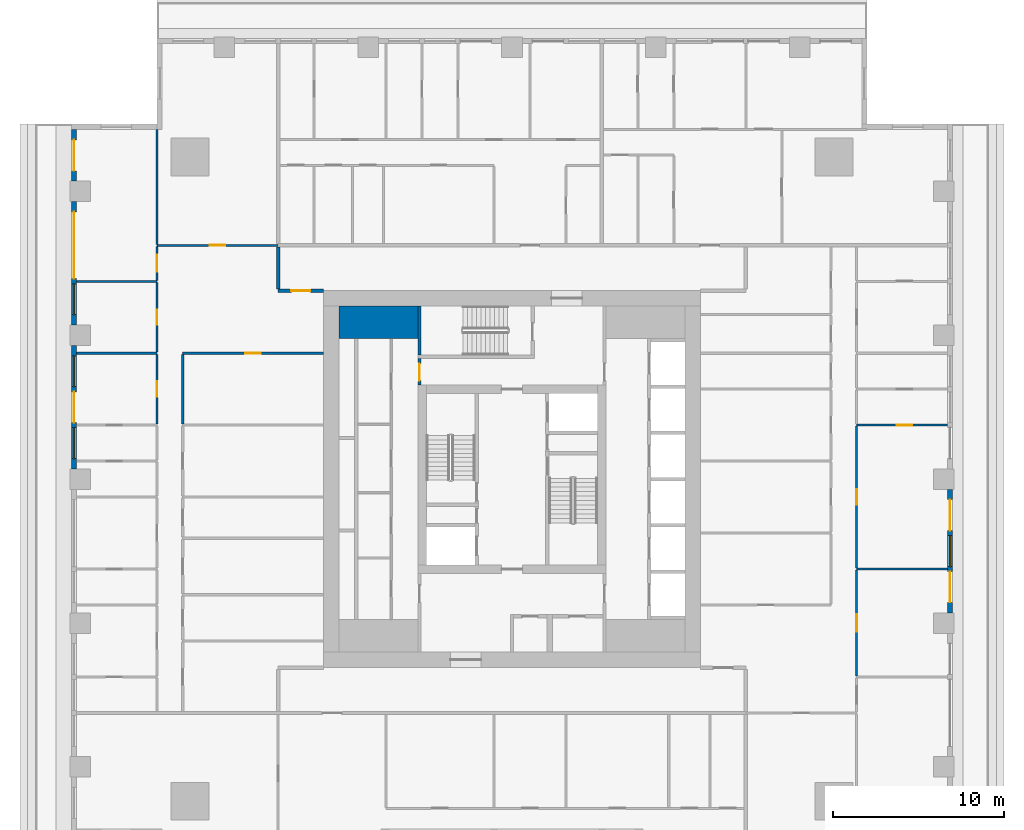
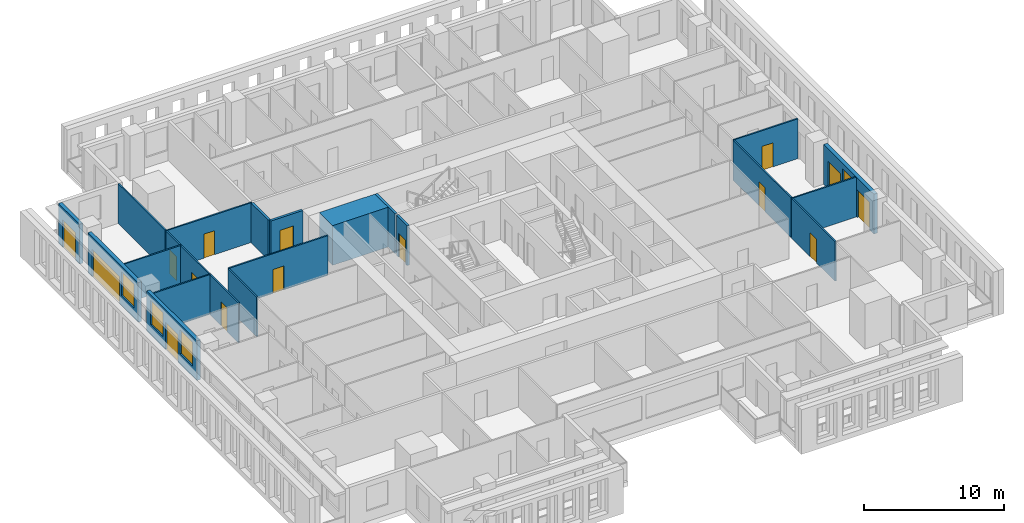
# One storey, part 6 of 15: 22 walls, 15 doors, 4 windows, 19 openings.
"""IFC4 building model written with IfcOpenShell, lengths in metres."""

from ifc_helpers import new_model, si_unit, direction, frame, frame_2d, origin, place, context, subcontext, project, spatial, rectangle, extrude, material, layer, layer_set, type_object, element, fill, save


model = new_model("IFC4")

# Units and contexts
model_context = context("Model", 3, precision=1e-05, world=origin(), true_north=direction((0.0, 1.0)))
body_context = subcontext(model_context, "Body", "Model", "MODEL_VIEW")
ifc_project = project(units=[si_unit("LENGTHUNIT", "METRE"), si_unit("AREAUNIT", "SQUARE_METRE"), si_unit("VOLUMEUNIT", "CUBIC_METRE"), si_unit("PLANEANGLEUNIT", "RADIAN"), si_unit("MASSUNIT", "GRAM", prefix="KILO")], contexts=[model_context])

# Site, building, storey
site_placement = place(None, origin())
site = spatial("IfcSite", under=ifc_project, at=site_placement, CompositionType="ELEMENT")
building_placement = place(site_placement, origin())
building = spatial("IfcBuilding", under=site, at=building_placement, Name="Khepri Terraces", CompositionType="ELEMENT")
storey_placement = place(building_placement, frame((0.0, 0.0, 256.199951171875)))
storey = spatial("IfcBuildingStorey", under=building, at=storey_placement, Name="L61", CompositionType="ELEMENT", Elevation=256.199951171875)

# Walls
ifc_material_1 = material(Name="Concrete C40/50", Category="concrete")
ifc_layer_1 = layer(ifc_material_1, 1.89990234375, Name="Concrete C40/50", Category="concrete")
ifc_layer_set_1 = layer_set([ifc_layer_1], Name="Concrete C40/50")
wall_type_1 = type_object("IfcWallType", Name="Core wall 1900 C40/50", PredefinedType="SHEAR", material=ifc_layer_set_1)
wall_1_placement = place(storey_placement, frame((-10.10009765625, 9.14990234375, 0.0), z_axis=(0.0, 0.0, 1.0), x_axis=(1.0, 0.0, 0.0)))
element("IfcWall", 1, at=wall_1_placement, inside=storey, type_object=wall_type_1, Name="Core wall PR03 L61", PredefinedType="SHEAR", context=body_context, shape_type="SweptSolid", body=[
    extrude(rectangle(XDim=4.60009765625, YDim=1.89990234375, at=frame_2d((2.300048828125, 0.0))), origin(), (0.0, 0.0, 1.0), 3.47998046875),
])
ifc_layer_2 = layer(ifc_material_1, 0.199951171875, Name="Concrete C40/50", Category="concrete")
ifc_layer_set_2 = layer_set([ifc_layer_2], Name="Concrete C40/50")
wall_type_2 = type_object("IfcWallType", Name="Core wall 200 C40/50", PredefinedType="SHEAR", material=ifc_layer_set_2)
wall_2_placement = place(storey_placement, frame((-5.39990234375, 7.25, 0.0), z_axis=(0.0, 0.0, 1.0), x_axis=(0.0, 1.0, 0.0)))
element("IfcWall", 2, at=wall_2_placement, inside=storey, type_object=wall_type_2, Name="Core wall ST06 L61", PredefinedType="SHEAR", context=body_context, shape_type="SweptSolid", body=[
    extrude(rectangle(XDim=2.85009765625, YDim=0.199951171875, at=frame_2d((1.425048828125, 0.0))), origin(), (0.0, 0.0, 1.0), 3.47998046875),
])

# Wall, opening, door
ifc_material_2 = material(Name="Fire-rated gypsum board partition")
ifc_layer_3 = layer(ifc_material_2, 0.199951171875, Name="Fire-rated gypsum board partition")
ifc_layer_set_3 = layer_set([ifc_layer_3], Name="Fire-rated gypsum board partition")
wall_type_3 = type_object("IfcWallType", Name="WL-CORE-PART-200", PredefinedType="PARTITIONING", material=ifc_layer_set_3)
wall_3_placement = place(storey_placement, frame((-5.39990234375, 5.5, 0.0), z_axis=(0.0, 0.0, 1.0), x_axis=(0.0, 1.0, 0.0)))
wall_3 = element("IfcWall", 3, at=wall_3_placement, inside=storey, type_object=wall_type_3, Name="Core partition PT11 L61", PredefinedType="PARTITIONING", context=body_context, shape_type="SweptSolid", body=[
    extrude(rectangle(XDim=1.550048828125, YDim=0.199951171875, at=frame_2d((0.77490234375, 0.0))), origin(), (0.0, 0.0, 1.0), 3.47998046875),
])
opening_1_placement = place(wall_3_placement, frame((0.25, 0.0, 0.0)))
opening_1 = element("IfcOpeningElement", 4, at=opening_1_placement, cuts=wall_3, Name="Opening L61-C16", PredefinedType="OPENING", context=body_context, shape_type="SweptSolid", body=[
    extrude(rectangle(XDim=1.0, YDim=2.10009765625, at=frame_2d((0.5, 1.050048828125))), frame((0.0, 0.10986328125, 0.0), z_axis=(0.0, -1.0, 0.0), x_axis=(1.0, 0.0, 0.0)), (0.0, 0.0, 1.0), 0.219970703125),
])
ifc_material_3 = material(Name="Painted steel", Category="steel")
door_type_1 = type_object("IfcDoorType", Name="DR-CORE-LOBBY-1000", OperationType="NOTDEFINED", PredefinedType="DOOR", material=ifc_material_3)
door_1_placement = place(opening_1_placement, frame((1.0, 0.0, 0.0), z_axis=(0.0, 0.0, 1.0), x_axis=(-1.0, 0.0, 0.0)))
door_1 = element("IfcDoor", 5, at=door_1_placement, inside=storey, type_object=door_type_1, Name="Lobby door L61-C16", OperationType="SINGLE_SWING_RIGHT", OverallHeight=2.10009765625, OverallWidth=1.0, PredefinedType="DOOR", context=body_context, shape_type="SweptSolid", body=[
    extrude(rectangle(XDim=1.0, YDim=2.10009765625, at=frame_2d((0.5, 1.050048828125))), frame((0.0, 0.02490234375, 0.0), z_axis=(0.0, -1.0, 0.0), x_axis=(1.0, 0.0, 0.0)), (0.0, 0.0, 1.0), 0.050048828125),
])
fill(opening_1, door_1)

ifc_material_4 = material(Name="Fire-rated gypsum plasterboard partition, mineral wool")
ifc_layer_4 = layer(ifc_material_4, 0.199951171875, Name="Fire-rated gypsum plasterboard partition, mineral wool")
ifc_layer_set_4 = layer_set([ifc_layer_4], Name="Fire-rated gypsum plasterboard partition, mineral wool")
wall_type_4 = type_object("IfcWallType", Name="WL-CORR-200", PredefinedType="PARTITIONING", material=ifc_layer_set_4)
wall_4_placement = place(storey_placement, frame((-13.64990234375, 11.0, 0.0), z_axis=(0.0, 0.0, 1.0), x_axis=(1.0, 0.0, 0.0)))
wall_4 = element("IfcWall", 6, at=wall_4_placement, inside=storey, type_object=wall_type_4, Name="Partition P-071 L61", PredefinedType="PARTITIONING", context=body_context, shape_type="SweptSolid", body=[
    extrude(rectangle(XDim=2.64990234375, YDim=0.199951171875, at=frame_2d((1.324951171875, 0.0))), origin(), (0.0, 0.0, 1.0), 3.47998046875),
])
opening_2_placement = place(wall_4_placement, frame((0.77490234375, 0.0, 0.0)))
opening_2 = element("IfcOpeningElement", 7, at=opening_2_placement, cuts=wall_4, Name="Opening D1", PredefinedType="OPENING", context=body_context, shape_type="SweptSolid", body=[
    extrude(rectangle(XDim=1.10009765625, YDim=2.39990234375, at=frame_2d((0.550048828125, 1.199951171875))), frame((0.0, 0.10986328125, 0.0), z_axis=(0.0, -1.0, 0.0), x_axis=(1.0, 0.0, 0.0)), (0.0, 0.0, 1.0), 0.219970703125),
])
ifc_material_5 = material(Name="Solid-core timber door leaf, flat entrance door", Category="wood")
door_type_2 = type_object("IfcDoorType", Name="DR-ENT-1100", OperationType="NOTDEFINED", PredefinedType="DOOR", material=ifc_material_5)
door_2_placement = place(opening_2_placement, frame((1.10009765625, 0.0, 0.0), z_axis=(0.0, 0.0, 1.0), x_axis=(-1.0, 0.0, 0.0)))
door_2 = element("IfcDoor", 8, at=door_2_placement, inside=storey, type_object=door_type_2, Name="Flat D1 entrance door", OperationType="SINGLE_SWING_LEFT", OverallHeight=2.39990234375, OverallWidth=1.10009765625, PredefinedType="DOOR", context=body_context, shape_type="SweptSolid", body=[
    extrude(rectangle(XDim=1.10009765625, YDim=2.39990234375, at=frame_2d((0.550048828125, 1.199951171875))), frame((0.0, 0.02490234375, 0.0), z_axis=(0.0, -1.0, 0.0), x_axis=(1.0, 0.0, 0.0)), (0.0, 0.0, 1.0), 0.050048828125),
])
fill(opening_2, door_2)

# Wall
wall_5_placement = place(storey_placement, frame((-13.64990234375, 11.10009765625, 0.0), z_axis=(0.0, 0.0, 1.0), x_axis=(0.0, 1.0, 0.0)))
element("IfcWall", 9, at=wall_5_placement, inside=storey, type_object=wall_type_4, Name="Partition P-073 L61", PredefinedType="PARTITIONING", context=body_context, shape_type="SweptSolid", body=[
    extrude(rectangle(XDim=2.449951171875, YDim=0.199951171875, at=frame_2d((1.22509765625, 0.0))), origin(), (0.0, 0.0, 1.0), 3.47998046875),
])

# Wall, openings, doors, window
ifc_material_6 = material(Name="Precast concrete C50/60 warm stone", Category="masonry")
ifc_layer_5 = layer(ifc_material_6, 0.300048828125, Name="Precast concrete C50/60 warm stone", Category="masonry")
ifc_layer_set_5 = layer_set([ifc_layer_5], Name="Precast concrete C50/60 warm stone")
wall_type_5 = type_object("IfcWallType", Name="WL-EXT-PRECAST-300", PredefinedType="STANDARD", material=ifc_layer_set_5)
wall_6_placement = place(storey_placement, frame((25.570068359375, -7.800048828125, 0.0), z_axis=(0.0, 0.0, 1.0), x_axis=(0.0, 1.0, 0.0)))
wall_6 = element("IfcWall", 10, at=wall_6_placement, inside=storey, type_object=wall_type_5, Name="External wall L61 E", PredefinedType="STANDARD", context=body_context, shape_type="SweptSolid", body=[
    extrude(rectangle(XDim=7.199951171875, YDim=0.300048828125, at=frame_2d((3.60009765625, 0.0))), origin(), (0.0, 0.0, 1.0), 3.47998046875),
])
opening_3_placement = place(wall_6_placement, frame((0.60009765625, 0.0, 0.0)))
opening_3 = element("IfcOpeningElement", 11, at=opening_3_placement, cuts=wall_6, Name="Opening ED-L61-04", PredefinedType="OPENING", context=body_context, shape_type="SweptSolid", body=[
    extrude(rectangle(XDim=1.800048828125, YDim=2.39990234375, at=frame_2d((0.89990234375, 1.199951171875))), frame((0.0, 0.16015625, 0.0), z_axis=(0.0, -1.0, 0.0), x_axis=(1.0, 0.0, 0.0)), (0.0, 0.0, 1.0), 0.320068359375),
])
opening_4_placement = place(wall_6_placement, frame((2.699951171875, 0.0, 0.89990234375)))
opening_4 = element("IfcOpeningElement", 12, at=opening_4_placement, cuts=wall_6, Name="Opening W1", PredefinedType="OPENING", context=body_context, shape_type="SweptSolid", body=[
    extrude(rectangle(XDim=1.800048828125, YDim=2.10009765625, at=frame_2d((0.89990234375, 1.050048828125))), frame((0.0, 0.16015625, 0.0), z_axis=(0.0, -1.0, 0.0), x_axis=(1.0, 0.0, 0.0)), (0.0, 0.0, 1.0), 0.320068359375),
])
opening_5_placement = place(wall_6_placement, frame((4.800048828125, 0.0, 0.0)))
opening_5 = element("IfcOpeningElement", 13, at=opening_5_placement, cuts=wall_6, Name="Opening ED-L61-05", PredefinedType="OPENING", context=body_context, shape_type="SweptSolid", body=[
    extrude(rectangle(XDim=1.800048828125, YDim=2.39990234375, at=frame_2d((0.89990234375, 1.199951171875))), frame((0.0, 0.16015625, 0.0), z_axis=(0.0, -1.0, 0.0), x_axis=(1.0, 0.0, 0.0)), (0.0, 0.0, 1.0), 0.320068359375),
])
ifc_material_7 = material(Name="Anodised aluminium bronze glazed door", Category="aluminium")
door_type_3 = type_object("IfcDoorType", Name="DR-BAL-SLIDE-1800x2400", OperationType="NOTDEFINED", PredefinedType="DOOR", material=ifc_material_7)
door_3_placement = place(opening_3_placement, origin())
door_3 = element("IfcDoor", 14, at=door_3_placement, inside=storey, type_object=door_type_3, Name="Balcony door L61 E", OperationType="SLIDING_TO_LEFT", OverallHeight=2.39990234375, OverallWidth=1.800048828125, PredefinedType="DOOR", context=body_context, shape_type="SweptSolid", body=[
    extrude(rectangle(XDim=1.800048828125, YDim=2.39990234375, at=frame_2d((0.89990234375, 1.199951171875))), frame((0.0, 0.02490234375, 0.0), z_axis=(0.0, -1.0, 0.0), x_axis=(1.0, 0.0, 0.0)), (0.0, 0.0, 1.0), 0.050048828125),
])
fill(opening_3, door_3)
door_4_placement = place(opening_5_placement, origin())
door_4 = element("IfcDoor", 15, at=door_4_placement, inside=storey, type_object=door_type_3, Name="Balcony door L61 E", OperationType="SLIDING_TO_RIGHT", OverallHeight=2.39990234375, OverallWidth=1.800048828125, PredefinedType="DOOR", context=body_context, shape_type="SweptSolid", body=[
    extrude(rectangle(XDim=1.800048828125, YDim=2.39990234375, at=frame_2d((0.89990234375, 1.199951171875))), frame((0.0, 0.02490234375, 0.0), z_axis=(0.0, -1.0, 0.0), x_axis=(1.0, 0.0, 0.0)), (0.0, 0.0, 1.0), 0.050048828125),
])
fill(opening_5, door_4)
ifc_material_8 = material(Name="Clear glass", Category="glass")
window_type = type_object("IfcWindowType", Name="WIN-RES-1800x2100", PartitioningType="SINGLE_PANEL", PredefinedType="WINDOW", material=ifc_material_8)
window_1_placement = place(opening_4_placement, origin())
window_1 = element("IfcWindow", 16, at=window_1_placement, inside=storey, type_object=window_type, Name="Window L61 E", OverallHeight=2.10009765625, OverallWidth=1.800048828125, PartitioningType="SINGLE_PANEL", PredefinedType="WINDOW", context=body_context, shape_type="SweptSolid", body=[
    extrude(rectangle(XDim=1.800048828125, YDim=2.10009765625, at=frame_2d((0.89990234375, 1.050048828125))), frame((0.0, 0.030029296875, 0.0), z_axis=(0.0, -1.0, 0.0), x_axis=(1.0, 0.0, 0.0)), (0.0, 0.0, 1.0), 0.06005859375),
])
fill(opening_4, window_1)

# Wall, opening, door
wall_7_placement = place(storey_placement, frame((-25.570068359375, 20.419921875, 0.0), z_axis=(0.0, 0.0, 1.0), x_axis=(0.0, -1.0, 0.0)))
wall_7 = element("IfcWall", 17, at=wall_7_placement, inside=storey, type_object=wall_type_5, Name="External wall L61 W", PredefinedType="STANDARD", context=body_context, shape_type="SweptSolid", body=[
    extrude(rectangle(XDim=3.02001953125, YDim=0.300048828125, at=frame_2d((1.510009765625, 0.0))), origin(), (0.0, 0.0, 1.0), 3.47998046875),
])
opening_6_placement = place(wall_7_placement, frame((0.6201171875, 0.0, 0.0)))
opening_6 = element("IfcOpeningElement", 18, at=opening_6_placement, cuts=wall_7, Name="Opening ED-L61-12", PredefinedType="OPENING", context=body_context, shape_type="SweptSolid", body=[
    extrude(rectangle(XDim=1.800048828125, YDim=2.39990234375, at=frame_2d((0.89990234375, 1.199951171875))), frame((0.0, 0.16015625, 0.0), z_axis=(0.0, -1.0, 0.0), x_axis=(1.0, 0.0, 0.0)), (0.0, 0.0, 1.0), 0.320068359375),
])
door_5_placement = place(opening_6_placement, origin())
door_5 = element("IfcDoor", 19, at=door_5_placement, inside=storey, type_object=door_type_3, Name="Balcony door L61 W", OperationType="SLIDING_TO_RIGHT", OverallHeight=2.39990234375, OverallWidth=1.800048828125, PredefinedType="DOOR", context=body_context, shape_type="SweptSolid", body=[
    extrude(rectangle(XDim=1.800048828125, YDim=2.39990234375, at=frame_2d((0.89990234375, 1.199951171875))), frame((0.0, 0.02490234375, 0.0), z_axis=(0.0, -1.0, 0.0), x_axis=(1.0, 0.0, 0.0)), (0.0, 0.0, 1.0), 0.050048828125),
])
fill(opening_6, door_5)

# Wall, openings, door, window
wall_8_placement = place(storey_placement, frame((-25.570068359375, 16.199951171875, 0.0), z_axis=(0.0, 0.0, 1.0), x_axis=(0.0, -1.0, 0.0)))
wall_8 = element("IfcWall", 20, at=wall_8_placement, inside=storey, type_object=wall_type_5, Name="External wall L61 W", PredefinedType="STANDARD", context=body_context, shape_type="SweptSolid", body=[
    extrude(rectangle(XDim=7.199951171875, YDim=0.300048828125, at=frame_2d((3.60009765625, 0.0))), origin(), (0.0, 0.0, 1.0), 3.47998046875),
])
opening_7_placement = place(wall_8_placement, frame((0.60009765625, 0.0, 0.0)))
opening_7 = element("IfcOpeningElement", 21, at=opening_7_placement, cuts=wall_8, Name="Opening ED-L61-13", PredefinedType="OPENING", context=body_context, shape_type="SweptSolid", body=[
    extrude(rectangle(XDim=3.89990234375, YDim=2.39990234375, at=frame_2d((1.949951171875, 1.199951171875))), frame((0.0, 0.16015625, 0.0), z_axis=(0.0, -1.0, 0.0), x_axis=(1.0, 0.0, 0.0)), (0.0, 0.0, 1.0), 0.320068359375),
])
opening_8_placement = place(wall_8_placement, frame((4.800048828125, 0.0, 0.89990234375)))
opening_8 = element("IfcOpeningElement", 22, at=opening_8_placement, cuts=wall_8, Name="Opening W1", PredefinedType="OPENING", context=body_context, shape_type="SweptSolid", body=[
    extrude(rectangle(XDim=1.800048828125, YDim=2.10009765625, at=frame_2d((0.89990234375, 1.050048828125))), frame((0.0, 0.16015625, 0.0), z_axis=(0.0, -1.0, 0.0), x_axis=(1.0, 0.0, 0.0)), (0.0, 0.0, 1.0), 0.320068359375),
])
door_type_4 = type_object("IfcDoorType", Name="DR-BAL-SLIDE-3900x2400", OperationType="NOTDEFINED", PredefinedType="DOOR", material=ifc_material_7)
door_6_placement = place(opening_7_placement, origin())
door_6 = element("IfcDoor", 23, at=door_6_placement, inside=storey, type_object=door_type_4, Name="Balcony door L61 W", OperationType="SLIDING_TO_LEFT", OverallHeight=2.39990234375, OverallWidth=3.89990234375, PredefinedType="DOOR", context=body_context, shape_type="SweptSolid", body=[
    extrude(rectangle(XDim=3.89990234375, YDim=2.39990234375, at=frame_2d((1.949951171875, 1.199951171875))), frame((0.0, 0.02490234375, 0.0), z_axis=(0.0, -1.0, 0.0), x_axis=(1.0, 0.0, 0.0)), (0.0, 0.0, 1.0), 0.050048828125),
])
fill(opening_7, door_6)
window_2_placement = place(opening_8_placement, origin())
window_2 = element("IfcWindow", 24, at=window_2_placement, inside=storey, type_object=window_type, Name="Window L61 W", OverallHeight=2.10009765625, OverallWidth=1.800048828125, PartitioningType="SINGLE_PANEL", PredefinedType="WINDOW", context=body_context, shape_type="SweptSolid", body=[
    extrude(rectangle(XDim=1.800048828125, YDim=2.10009765625, at=frame_2d((0.89990234375, 1.050048828125))), frame((0.0, 0.030029296875, 0.0), z_axis=(0.0, -1.0, 0.0), x_axis=(1.0, 0.0, 0.0)), (0.0, 0.0, 1.0), 0.06005859375),
])
fill(opening_8, window_2)

# Wall, openings, door, windows
wall_9_placement = place(storey_placement, frame((-25.570068359375, 7.800048828125, 0.0), z_axis=(0.0, 0.0, 1.0), x_axis=(0.0, -1.0, 0.0)))
wall_9 = element("IfcWall", 25, at=wall_9_placement, inside=storey, type_object=wall_type_5, Name="External wall L61 W", PredefinedType="STANDARD", context=body_context, shape_type="SweptSolid", body=[
    extrude(rectangle(XDim=7.199951171875, YDim=0.300048828125, at=frame_2d((3.60009765625, 0.0))), origin(), (0.0, 0.0, 1.0), 3.47998046875),
])
opening_9_placement = place(wall_9_placement, frame((0.60009765625, 0.0, 0.89990234375)))
opening_9 = element("IfcOpeningElement", 26, at=opening_9_placement, cuts=wall_9, Name="Opening W1", PredefinedType="OPENING", context=body_context, shape_type="SweptSolid", body=[
    extrude(rectangle(XDim=1.800048828125, YDim=2.10009765625, at=frame_2d((0.89990234375, 1.050048828125))), frame((0.0, 0.16015625, 0.0), z_axis=(0.0, -1.0, 0.0), x_axis=(1.0, 0.0, 0.0)), (0.0, 0.0, 1.0), 0.320068359375),
])
opening_10_placement = place(wall_9_placement, frame((2.699951171875, 0.0, 0.0)))
opening_10 = element("IfcOpeningElement", 27, at=opening_10_placement, cuts=wall_9, Name="Opening ED-L61-14", PredefinedType="OPENING", context=body_context, shape_type="SweptSolid", body=[
    extrude(rectangle(XDim=1.800048828125, YDim=2.39990234375, at=frame_2d((0.89990234375, 1.199951171875))), frame((0.0, 0.16015625, 0.0), z_axis=(0.0, -1.0, 0.0), x_axis=(1.0, 0.0, 0.0)), (0.0, 0.0, 1.0), 0.320068359375),
])
opening_11_placement = place(wall_9_placement, frame((4.800048828125, 0.0, 0.89990234375)))
opening_11 = element("IfcOpeningElement", 28, at=opening_11_placement, cuts=wall_9, Name="Opening W1", PredefinedType="OPENING", context=body_context, shape_type="SweptSolid", body=[
    extrude(rectangle(XDim=1.800048828125, YDim=2.10009765625, at=frame_2d((0.89990234375, 1.050048828125))), frame((0.0, 0.16015625, 0.0), z_axis=(0.0, -1.0, 0.0), x_axis=(1.0, 0.0, 0.0)), (0.0, 0.0, 1.0), 0.320068359375),
])
door_7_placement = place(opening_10_placement, origin())
door_7 = element("IfcDoor", 29, at=door_7_placement, inside=storey, type_object=door_type_3, Name="Balcony door L61 W", OperationType="SLIDING_TO_LEFT", OverallHeight=2.39990234375, OverallWidth=1.800048828125, PredefinedType="DOOR", context=body_context, shape_type="SweptSolid", body=[
    extrude(rectangle(XDim=1.800048828125, YDim=2.39990234375, at=frame_2d((0.89990234375, 1.199951171875))), frame((0.0, 0.02490234375, 0.0), z_axis=(0.0, -1.0, 0.0), x_axis=(1.0, 0.0, 0.0)), (0.0, 0.0, 1.0), 0.050048828125),
])
fill(opening_10, door_7)
window_3_placement = place(opening_9_placement, origin())
window_3 = element("IfcWindow", 30, at=window_3_placement, inside=storey, type_object=window_type, Name="Window L61 W", OverallHeight=2.10009765625, OverallWidth=1.800048828125, PartitioningType="SINGLE_PANEL", PredefinedType="WINDOW", context=body_context, shape_type="SweptSolid", body=[
    extrude(rectangle(XDim=1.800048828125, YDim=2.10009765625, at=frame_2d((0.89990234375, 1.050048828125))), frame((0.0, 0.030029296875, 0.0), z_axis=(0.0, -1.0, 0.0), x_axis=(1.0, 0.0, 0.0)), (0.0, 0.0, 1.0), 0.06005859375),
])
fill(opening_9, window_3)
window_4_placement = place(opening_11_placement, origin())
window_4 = element("IfcWindow", 31, at=window_4_placement, inside=storey, type_object=window_type, Name="Window L61 W", OverallHeight=2.10009765625, OverallWidth=1.800048828125, PartitioningType="SINGLE_PANEL", PredefinedType="WINDOW", context=body_context, shape_type="SweptSolid", body=[
    extrude(rectangle(XDim=1.800048828125, YDim=2.10009765625, at=frame_2d((0.89990234375, 1.050048828125))), frame((0.0, 0.030029296875, 0.0), z_axis=(0.0, -1.0, 0.0), x_axis=(1.0, 0.0, 0.0)), (0.0, 0.0, 1.0), 0.06005859375),
])
fill(opening_11, window_4)

# Wall, opening, door
ifc_material_9 = material(Name="Gypsum plasterboard partition")
ifc_layer_6 = layer(ifc_material_9, 0.1201171875, Name="Gypsum plasterboard partition")
ifc_layer_set_6 = layer_set([ifc_layer_6], Name="Gypsum plasterboard partition")
wall_type_6 = type_object("IfcWallType", Name="WL-PART-120", PredefinedType="PARTITIONING", material=ifc_layer_set_6)
wall_10_placement = place(storey_placement, frame((20.1201171875, -11.489990234375, 0.0), z_axis=(0.0, 0.0, 1.0), x_axis=(0.0, 1.0, 0.0)))
wall_10 = element("IfcWall", 32, at=wall_10_placement, inside=storey, type_object=wall_type_6, Name="Partition P-025 L61", PredefinedType="PARTITIONING", context=body_context, shape_type="SweptSolid", body=[
    extrude(rectangle(XDim=6.179931640625, YDim=0.1201171875, at=frame_2d((3.08984375, 0.0))), origin(), (0.0, 0.0, 1.0), 3.47998046875),
])
opening_12_placement = place(wall_10_placement, frame((2.590087890625, 0.0, 0.0)))
opening_12 = element("IfcOpeningElement", 33, at=opening_12_placement, cuts=wall_10, Name="Opening D2", PredefinedType="OPENING", context=body_context, shape_type="SweptSolid", body=[
    extrude(rectangle(XDim=1.0, YDim=2.10009765625, at=frame_2d((0.5, 1.050048828125))), frame((0.0, 0.070068359375, 0.0), z_axis=(0.0, -1.0, 0.0), x_axis=(1.0, 0.0, 0.0)), (0.0, 0.0, 1.0), 0.14013671875),
])
ifc_material_10 = material(Name="Timber door leaf, living room door", Category="wood")
door_type_5 = type_object("IfcDoorType", Name="DR-INT-1000", OperationType="NOTDEFINED", PredefinedType="DOOR", material=ifc_material_10)
door_8_placement = place(opening_12_placement, frame((1.0, 0.0, 0.0), z_axis=(0.0, 0.0, 1.0), x_axis=(-1.0, 0.0, 0.0)))
door_8 = element("IfcDoor", 34, at=door_8_placement, inside=storey, type_object=door_type_5, Name="Door Family Room", OperationType="SINGLE_SWING_RIGHT", OverallHeight=2.10009765625, OverallWidth=1.0, PredefinedType="DOOR", context=body_context, shape_type="SweptSolid", body=[
    extrude(rectangle(XDim=1.0, YDim=2.10009765625, at=frame_2d((0.5, 1.050048828125))), frame((0.0, 0.02490234375, 0.0), z_axis=(0.0, -1.0, 0.0), x_axis=(1.0, 0.0, 0.0)), (0.0, 0.0, 1.0), 0.050048828125),
])
fill(opening_12, door_8)

# Wall
wall_11_placement = place(storey_placement, frame((20.1201171875, -5.25, 0.0), z_axis=(0.0, 0.0, 1.0), x_axis=(1.0, 0.0, 0.0)))
element("IfcWall", 35, at=wall_11_placement, inside=storey, type_object=wall_type_6, Name="Partition P-037 L61", PredefinedType="PARTITIONING", context=body_context, shape_type="SweptSolid", body=[
    extrude(rectangle(XDim=5.2998046875, YDim=0.1201171875, at=frame_2d((2.64990234375, 0.0))), origin(), (0.0, 0.0, 1.0), 3.47998046875),
])

# Wall, opening, door
wall_12_placement = place(storey_placement, frame((20.1201171875, -5.18994140625, 0.0), z_axis=(0.0, 0.0, 1.0), x_axis=(0.0, 1.0, 0.0)))
wall_12 = element("IfcWall", 36, at=wall_12_placement, inside=storey, type_object=wall_type_6, Name="Partition P-039 L61", PredefinedType="PARTITIONING", context=body_context, shape_type="SweptSolid", body=[
    extrude(rectangle(XDim=8.280029296875, YDim=0.1201171875, at=frame_2d((4.14013671875, 0.0))), origin(), (0.0, 0.0, 1.0), 3.47998046875),
])
opening_13_placement = place(wall_12_placement, frame((3.68994140625, 0.0, 0.0)))
opening_13 = element("IfcOpeningElement", 37, at=opening_13_placement, cuts=wall_12, Name="Opening D3", PredefinedType="OPENING", context=body_context, shape_type="SweptSolid", body=[
    extrude(rectangle(XDim=0.89990234375, YDim=2.10009765625, at=frame_2d((0.449951171875, 1.050048828125))), frame((0.0, 0.070068359375, 0.0), z_axis=(0.0, -1.0, 0.0), x_axis=(1.0, 0.0, 0.0)), (0.0, 0.0, 1.0), 0.14013671875),
])
ifc_material_11 = material(Name="Timber door leaf", Category="wood")
door_type_6 = type_object("IfcDoorType", Name="DR-INT-900", OperationType="NOTDEFINED", PredefinedType="DOOR", material=ifc_material_11)
door_9_placement = place(opening_13_placement, frame((0.89990234375, 0.0, 0.0), z_axis=(0.0, 0.0, 1.0), x_axis=(-1.0, 0.0, 0.0)))
door_9 = element("IfcDoor", 38, at=door_9_placement, inside=storey, type_object=door_type_6, Name="Door Master Bedroom", OperationType="SINGLE_SWING_LEFT", OverallHeight=2.10009765625, OverallWidth=0.89990234375, PredefinedType="DOOR", context=body_context, shape_type="SweptSolid", body=[
    extrude(rectangle(XDim=0.89990234375, YDim=2.10009765625, at=frame_2d((0.449951171875, 1.050048828125))), frame((0.0, 0.02490234375, 0.0), z_axis=(0.0, -1.0, 0.0), x_axis=(1.0, 0.0, 0.0)), (0.0, 0.0, 1.0), 0.050048828125),
])
fill(opening_13, door_9)

wall_13_placement = place(storey_placement, frame((20.1201171875, 3.14990234375, 0.0), z_axis=(0.0, 0.0, 1.0), x_axis=(1.0, 0.0, 0.0)))
wall_13 = element("IfcWall", 39, at=wall_13_placement, inside=storey, type_object=wall_type_6, Name="Partition P-054 L61", PredefinedType="PARTITIONING", context=body_context, shape_type="SweptSolid", body=[
    extrude(rectangle(XDim=5.2998046875, YDim=0.1201171875, at=frame_2d((2.64990234375, 0.0))), origin(), (0.0, 0.0, 1.0), 3.47998046875),
])
opening_14_placement = place(wall_13_placement, frame((2.35009765625, 0.0, 0.0)))
opening_14 = element("IfcOpeningElement", 40, at=opening_14_placement, cuts=wall_13, Name="Opening D3", PredefinedType="OPENING", context=body_context, shape_type="SweptSolid", body=[
    extrude(rectangle(XDim=0.89990234375, YDim=2.10009765625, at=frame_2d((0.449951171875, 1.050048828125))), frame((0.0, 0.070068359375, 0.0), z_axis=(0.0, -1.0, 0.0), x_axis=(1.0, 0.0, 0.0)), (0.0, 0.0, 1.0), 0.14013671875),
])
door_10_placement = place(opening_14_placement, origin())
door_10 = element("IfcDoor", 41, at=door_10_placement, inside=storey, type_object=door_type_6, Name="Door Dressing Room", OperationType="SINGLE_SWING_RIGHT", OverallHeight=2.10009765625, OverallWidth=0.89990234375, PredefinedType="DOOR", context=body_context, shape_type="SweptSolid", body=[
    extrude(rectangle(XDim=0.89990234375, YDim=2.10009765625, at=frame_2d((0.449951171875, 1.050048828125))), frame((0.0, 0.02490234375, 0.0), z_axis=(0.0, -1.0, 0.0), x_axis=(1.0, 0.0, 0.0)), (0.0, 0.0, 1.0), 0.050048828125),
])
fill(opening_14, door_10)

wall_14_placement = place(storey_placement, frame((-20.719970703125, 3.2099609375, 0.0), z_axis=(0.0, 0.0, 1.0), x_axis=(0.0, 1.0, 0.0)))
wall_14 = element("IfcWall", 42, at=wall_14_placement, inside=storey, type_object=wall_type_6, Name="Partition P-055 L61", PredefinedType="PARTITIONING", context=body_context, shape_type="SweptSolid", body=[
    extrude(rectangle(XDim=4.080078125, YDim=0.1201171875, at=frame_2d((2.0400390625, 0.0))), origin(), (0.0, 0.0, 1.0), 3.47998046875),
])
opening_15_placement = place(wall_14_placement, frame((1.590087890625, 0.0, 0.0)))
opening_15 = element("IfcOpeningElement", 43, at=opening_15_placement, cuts=wall_14, Name="Opening D3", PredefinedType="OPENING", context=body_context, shape_type="SweptSolid", body=[
    extrude(rectangle(XDim=0.89990234375, YDim=2.10009765625, at=frame_2d((0.449951171875, 1.050048828125))), frame((0.0, 0.070068359375, 0.0), z_axis=(0.0, -1.0, 0.0), x_axis=(1.0, 0.0, 0.0)), (0.0, 0.0, 1.0), 0.14013671875),
])
door_11_placement = place(opening_15_placement, origin())
door_11 = element("IfcDoor", 44, at=door_11_placement, inside=storey, type_object=door_type_6, Name="Door Master Bedroom", OperationType="SINGLE_SWING_RIGHT", OverallHeight=2.10009765625, OverallWidth=0.89990234375, PredefinedType="DOOR", context=body_context, shape_type="SweptSolid", body=[
    extrude(rectangle(XDim=0.89990234375, YDim=2.10009765625, at=frame_2d((0.449951171875, 1.050048828125))), frame((0.0, 0.02490234375, 0.0), z_axis=(0.0, -1.0, 0.0), x_axis=(1.0, 0.0, 0.0)), (0.0, 0.0, 1.0), 0.050048828125),
])
fill(opening_15, door_11)

# Walls
wall_15_placement = place(storey_placement, frame((-19.219970703125, 3.2099609375, 0.0), z_axis=(0.0, 0.0, 1.0), x_axis=(0.0, 1.0, 0.0)))
element("IfcWall", 45, at=wall_15_placement, inside=storey, type_object=wall_type_6, Name="Partition P-056 L61", PredefinedType="PARTITIONING", context=body_context, shape_type="SweptSolid", body=[
    extrude(rectangle(XDim=4.080078125, YDim=0.1201171875, at=frame_2d((2.0400390625, 0.0))), origin(), (0.0, 0.0, 1.0), 3.47998046875),
])
wall_16_placement = place(storey_placement, frame((-25.419921875, 7.35009765625, 0.0), z_axis=(0.0, 0.0, 1.0), x_axis=(1.0, 0.0, 0.0)))
element("IfcWall", 46, at=wall_16_placement, inside=storey, type_object=wall_type_6, Name="Partition P-062 L61", PredefinedType="PARTITIONING", context=body_context, shape_type="SweptSolid", body=[
    extrude(rectangle(XDim=4.699951171875, YDim=0.1201171875, at=frame_2d((2.35009765625, 0.0))), origin(), (0.0, 0.0, 1.0), 3.47998046875),
])

# Wall, opening, door
wall_17_placement = place(storey_placement, frame((-19.219970703125, 7.35009765625, 0.0), z_axis=(0.0, 0.0, 1.0), x_axis=(1.0, 0.0, 0.0)))
wall_17 = element("IfcWall", 47, at=wall_17_placement, inside=storey, type_object=wall_type_6, Name="Partition P-063 L61", PredefinedType="PARTITIONING", context=body_context, shape_type="SweptSolid", body=[
    extrude(rectangle(XDim=8.219970703125, YDim=0.1201171875, at=frame_2d((4.10986328125, 0.0))), origin(), (0.0, 0.0, 1.0), 3.47998046875),
])
opening_16_placement = place(wall_17_placement, frame((3.659912109375, 0.0, 0.0)))
opening_16 = element("IfcOpeningElement", 48, at=opening_16_placement, cuts=wall_17, Name="Opening D3", PredefinedType="OPENING", context=body_context, shape_type="SweptSolid", body=[
    extrude(rectangle(XDim=0.89990234375, YDim=2.10009765625, at=frame_2d((0.449951171875, 1.050048828125))), frame((0.0, 0.070068359375, 0.0), z_axis=(0.0, -1.0, 0.0), x_axis=(1.0, 0.0, 0.0)), (0.0, 0.0, 1.0), 0.14013671875),
])
door_12_placement = place(opening_16_placement, frame((0.89990234375, 0.0, 0.0), z_axis=(0.0, 0.0, 1.0), x_axis=(-1.0, 0.0, 0.0)))
door_12 = element("IfcDoor", 49, at=door_12_placement, inside=storey, type_object=door_type_6, Name="Door Kitchen", OperationType="SINGLE_SWING_LEFT", OverallHeight=2.10009765625, OverallWidth=0.89990234375, PredefinedType="DOOR", context=body_context, shape_type="SweptSolid", body=[
    extrude(rectangle(XDim=0.89990234375, YDim=2.10009765625, at=frame_2d((0.449951171875, 1.050048828125))), frame((0.0, 0.02490234375, 0.0), z_axis=(0.0, -1.0, 0.0), x_axis=(1.0, 0.0, 0.0)), (0.0, 0.0, 1.0), 0.050048828125),
])
fill(opening_16, door_12)

wall_18_placement = place(storey_placement, frame((-20.719970703125, 7.409912109375, 0.0), z_axis=(0.0, 0.0, 1.0), x_axis=(0.0, 1.0, 0.0)))
wall_18 = element("IfcWall", 50, at=wall_18_placement, inside=storey, type_object=wall_type_6, Name="Partition P-066 L61", PredefinedType="PARTITIONING", context=body_context, shape_type="SweptSolid", body=[
    extrude(rectangle(XDim=4.080078125, YDim=0.1201171875, at=frame_2d((2.0400390625, 0.0))), origin(), (0.0, 0.0, 1.0), 3.47998046875),
])
opening_17_placement = place(wall_18_placement, frame((1.590087890625, 0.0, 0.0)))
opening_17 = element("IfcOpeningElement", 51, at=opening_17_placement, cuts=wall_18, Name="Opening D3", PredefinedType="OPENING", context=body_context, shape_type="SweptSolid", body=[
    extrude(rectangle(XDim=0.89990234375, YDim=2.10009765625, at=frame_2d((0.449951171875, 1.050048828125))), frame((0.0, 0.070068359375, 0.0), z_axis=(0.0, -1.0, 0.0), x_axis=(1.0, 0.0, 0.0)), (0.0, 0.0, 1.0), 0.14013671875),
])
door_13_placement = place(opening_17_placement, origin())
door_13 = element("IfcDoor", 52, at=door_13_placement, inside=storey, type_object=door_type_6, Name="Door Study", OperationType="SINGLE_SWING_LEFT", OverallHeight=2.10009765625, OverallWidth=0.89990234375, PredefinedType="DOOR", context=body_context, shape_type="SweptSolid", body=[
    extrude(rectangle(XDim=0.89990234375, YDim=2.10009765625, at=frame_2d((0.449951171875, 1.050048828125))), frame((0.0, 0.02490234375, 0.0), z_axis=(0.0, -1.0, 0.0), x_axis=(1.0, 0.0, 0.0)), (0.0, 0.0, 1.0), 0.050048828125),
])
fill(opening_17, door_13)

# Wall
wall_19_placement = place(storey_placement, frame((-25.419921875, 11.550048828125, 0.0), z_axis=(0.0, 0.0, 1.0), x_axis=(1.0, 0.0, 0.0)))
element("IfcWall", 53, at=wall_19_placement, inside=storey, type_object=wall_type_6, Name="Partition P-075 L61", PredefinedType="PARTITIONING", context=body_context, shape_type="SweptSolid", body=[
    extrude(rectangle(XDim=4.699951171875, YDim=0.1201171875, at=frame_2d((2.35009765625, 0.0))), origin(), (0.0, 0.0, 1.0), 3.47998046875),
])

# Wall, opening, door
wall_20_placement = place(storey_placement, frame((-20.719970703125, 11.610107421875, 0.0), z_axis=(0.0, 0.0, 1.0), x_axis=(0.0, 1.0, 0.0)))
wall_20 = element("IfcWall", 54, at=wall_20_placement, inside=storey, type_object=wall_type_6, Name="Partition P-077 L61", PredefinedType="PARTITIONING", context=body_context, shape_type="SweptSolid", body=[
    extrude(rectangle(XDim=1.97998046875, YDim=0.1201171875, at=frame_2d((0.989990234375, 0.0))), origin(), (0.0, 0.0, 1.0), 3.47998046875),
])
opening_18_placement = place(wall_20_placement, frame((0.489990234375, 0.0, 0.0)))
opening_18 = element("IfcOpeningElement", 55, at=opening_18_placement, cuts=wall_20, Name="Opening D2", PredefinedType="OPENING", context=body_context, shape_type="SweptSolid", body=[
    extrude(rectangle(XDim=1.0, YDim=2.10009765625, at=frame_2d((0.5, 1.050048828125))), frame((0.0, 0.070068359375, 0.0), z_axis=(0.0, -1.0, 0.0), x_axis=(1.0, 0.0, 0.0)), (0.0, 0.0, 1.0), 0.14013671875),
])
door_14_placement = place(opening_18_placement, origin())
door_14 = element("IfcDoor", 56, at=door_14_placement, inside=storey, type_object=door_type_5, Name="Door Living Room", OperationType="SINGLE_SWING_RIGHT", OverallHeight=2.10009765625, OverallWidth=1.0, PredefinedType="DOOR", context=body_context, shape_type="SweptSolid", body=[
    extrude(rectangle(XDim=1.0, YDim=2.10009765625, at=frame_2d((0.5, 1.050048828125))), frame((0.0, 0.02490234375, 0.0), z_axis=(0.0, -1.0, 0.0), x_axis=(1.0, 0.0, 0.0)), (0.0, 0.0, 1.0), 0.050048828125),
])
fill(opening_18, door_14)

wall_21_placement = place(storey_placement, frame((-20.719970703125, 13.64990234375, 0.0), z_axis=(0.0, 0.0, 1.0), x_axis=(1.0, 0.0, 0.0)))
wall_21 = element("IfcWall", 57, at=wall_21_placement, inside=storey, type_object=wall_type_6, Name="Partition P-079 L61", PredefinedType="PARTITIONING", context=body_context, shape_type="SweptSolid", body=[
    extrude(rectangle(XDim=7.070068359375, YDim=0.1201171875, at=frame_2d((3.53515625, 0.0))), origin(), (0.0, 0.0, 1.0), 3.47998046875),
])
opening_19_placement = place(wall_21_placement, frame((3.0849609375, 0.0, 0.0)))
opening_19 = element("IfcOpeningElement", 58, at=opening_19_placement, cuts=wall_21, Name="Opening D3", PredefinedType="OPENING", context=body_context, shape_type="SweptSolid", body=[
    extrude(rectangle(XDim=0.89990234375, YDim=2.10009765625, at=frame_2d((0.449951171875, 1.050048828125))), frame((0.0, 0.070068359375, 0.0), z_axis=(0.0, -1.0, 0.0), x_axis=(1.0, 0.0, 0.0)), (0.0, 0.0, 1.0), 0.14013671875),
])
door_15_placement = place(opening_19_placement, origin())
door_15 = element("IfcDoor", 59, at=door_15_placement, inside=storey, type_object=door_type_6, Name="Door Library", OperationType="SINGLE_SWING_RIGHT", OverallHeight=2.10009765625, OverallWidth=0.89990234375, PredefinedType="DOOR", context=body_context, shape_type="SweptSolid", body=[
    extrude(rectangle(XDim=0.89990234375, YDim=2.10009765625, at=frame_2d((0.449951171875, 1.050048828125))), frame((0.0, 0.02490234375, 0.0), z_axis=(0.0, -1.0, 0.0), x_axis=(1.0, 0.0, 0.0)), (0.0, 0.0, 1.0), 0.050048828125),
])
fill(opening_19, door_15)

# Wall
wall_22_placement = place(storey_placement, frame((-20.719970703125, 13.7099609375, 0.0), z_axis=(0.0, 0.0, 1.0), x_axis=(0.0, 1.0, 0.0)))
element("IfcWall", 60, at=wall_22_placement, inside=storey, type_object=wall_type_6, Name="Partition P-081 L61", PredefinedType="PARTITIONING", context=body_context, shape_type="SweptSolid", body=[
    extrude(rectangle(XDim=6.7099609375, YDim=0.1201171875, at=frame_2d((3.35498046875, 0.0))), origin(), (0.0, 0.0, 1.0), 3.47998046875),
])

save(model, "model.ifc")
